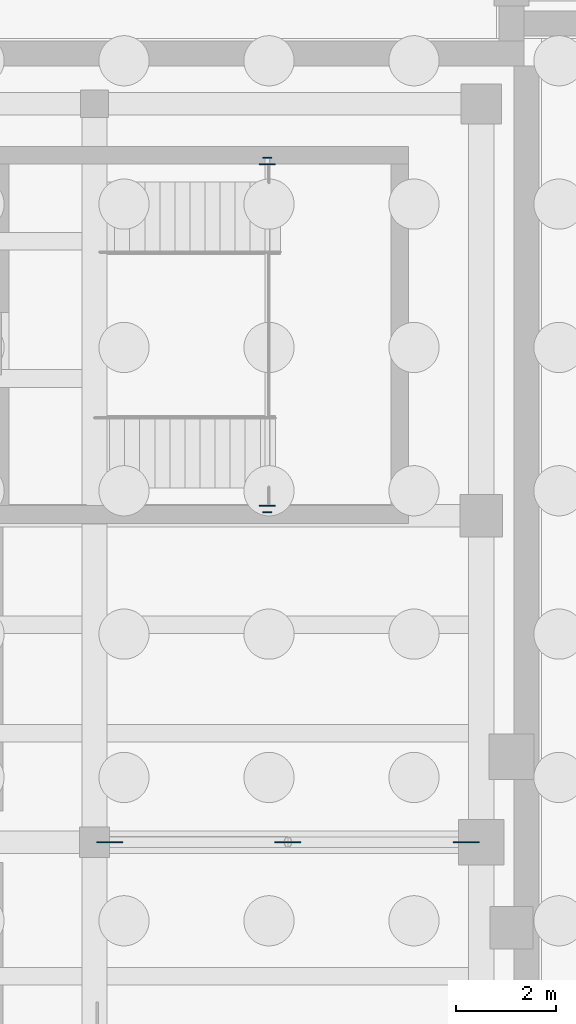
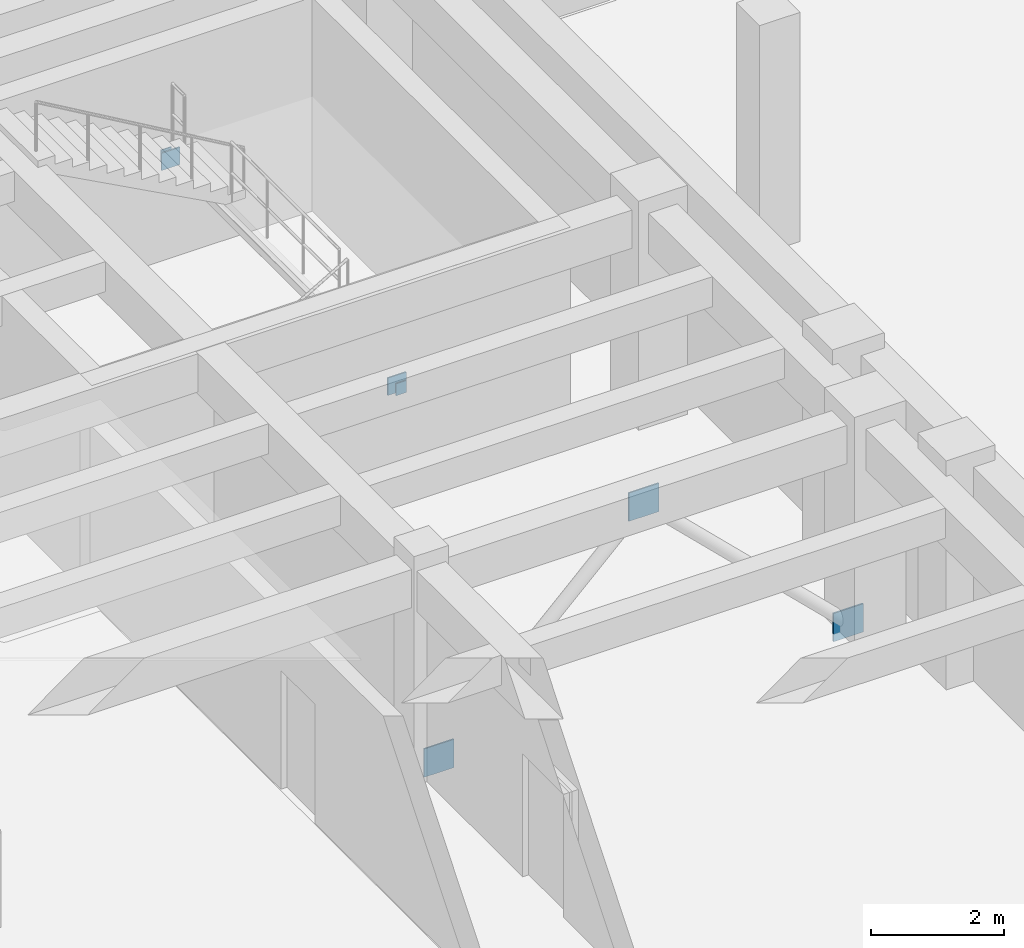
# One storey, part 18 of 36: 7 plates.
"""IFC4 building model written with IfcOpenShell, lengths in metres."""

from ifc_helpers import new_model, si_unit, direction, frame, origin, origin_2d, place, context, subcontext, project, spatial, rectangle, extrude, material, layer, layer_set, type_object, element, save


model = new_model("IFC4")

# Units and contexts
model_context = context("Model", 3, precision=1e-05, world=origin(), true_north=direction((0.0, 1.0)))
body_context = subcontext(model_context, "Body", "Model", "MODEL_VIEW")
ifc_project = project(units=[si_unit("LENGTHUNIT", "METRE"), si_unit("AREAUNIT", "SQUARE_METRE"), si_unit("VOLUMEUNIT", "CUBIC_METRE"), si_unit("PLANEANGLEUNIT", "RADIAN"), si_unit("MASSUNIT", "GRAM", prefix="KILO"), si_unit("THERMODYNAMICTEMPERATUREUNIT", "KELVIN"), si_unit("POWERUNIT", "WATT")], contexts=[model_context])

# Site, building, storey
site_placement = place(None, origin())
site = spatial("IfcSite", under=ifc_project, at=site_placement, CompositionType="ELEMENT")
building_placement = place(site_placement, origin())
building = spatial("IfcBuilding", under=site, at=building_placement, Name="Solvatero Civic Police Headquarters", CompositionType="ELEMENT")
storey_placement = place(building_placement, frame((0.0, 0.0, -8.39990234375)))
storey = spatial("IfcBuildingStorey", under=building, at=storey_placement, Name="B02", CompositionType="ELEMENT", Elevation=-8.39990234375)

# Plates
ifc_material = material(Name="Steel S355", Category="steel")
ifc_layer_1 = layer(ifc_material, 0.02001953125)
ifc_layer_set_1 = layer_set([ifc_layer_1], Name="Steel S355")
plate_type_1 = type_object("IfcPlateType", Name="PLT-CAP-20", PredefinedType="SHEET", material=ifc_layer_set_1)
for number, where, z_axis, x_axis, name in (
    (1, (23.93994140625, 75.070068359375, 1.71484375), (0.0, 0.0, 1.0), (1.0, 0.0, 0.0), "Hollow Section Cap Plate 0051"),
    (2, (23.93994140625, 82.1298828125, 1.71484375), (0.0, 0.0, 1.0), (1.0, 0.0, 0.0), "Hollow Section Cap Plate 0052"),
):
    element("IfcPlate", number, at=place(storey_placement, frame(where, z_axis=z_axis, x_axis=x_axis)), inside=storey, type_object=plate_type_1, Name=name, PredefinedType="SHEET", context=body_context, shape_type="SweptSolid", body=[
        extrude(rectangle(XDim=0.179931640625, YDim=0.02001953125, at=origin_2d()), origin(), (0.0, 0.0, 1.0), 0.219970703125),
    ])
ifc_layer_2 = layer(ifc_material, 0.02490234375)
ifc_layer_set_2 = layer_set([ifc_layer_2], Name="Steel S355")
plate_type_2 = type_object("IfcPlateType", Name="PLT-EMB-25", PredefinedType="SHEET", material=ifc_layer_set_2)
for number, where, z_axis, x_axis, name in (
    (3, (23.93994140625, 75.199951171875, 1.6650390625), (0.0, 0.0, 1.0), (1.0, 0.0, 0.0), "Cast-In Shear Wall Embed Plate 0051"),
    (4, (23.93994140625, 82.0, 1.6650390625), (0.0, 0.0, 1.0), (1.0, 0.0, 0.0), "Cast-In Shear Wall Embed Plate 0052"),
):
    element("IfcPlate", number, at=place(storey_placement, frame(where, z_axis=z_axis, x_axis=x_axis)), inside=storey, type_object=plate_type_2, Name=name, PredefinedType="SHEET", context=body_context, shape_type="SweptSolid", body=[
        extrude(rectangle(XDim=0.320068359375, YDim=0.02490234375, at=origin_2d()), origin(), (0.0, 0.0, 1.0), 0.320068359375),
    ])
ifc_layer_3 = layer(ifc_material, 0.02490234375)
ifc_layer_set_3 = layer_set([ifc_layer_3], Name="Steel S355")
plate_type_3 = type_object("IfcPlateType", Name="PLT-GUS-25", PredefinedType="SHEET", material=ifc_layer_set_3)
for number, where, z_axis, x_axis, name in (
    (5, (24.35009765625, 68.5, 3.309814453125), (0.0, 0.0, 1.0), (1.0, 0.0, 0.0), "Gusset Plate BR-V6-INT2 APX B02"),
    (6, (20.800048828125, 68.5, -0.14013671875), (0.0, 0.0, 1.0), (1.0, 0.0, 0.0), "Gusset Plate BR-V6-INT2 BSL B02"),
    (7, (27.89990234375, 68.5, -0.14013671875), (0.0, 0.0, 1.0), (1.0, 0.0, 0.0), "Gusset Plate BR-V6-INT2 BSR B02"),
):
    element("IfcPlate", number, at=place(storey_placement, frame(where, z_axis=z_axis, x_axis=x_axis)), inside=storey, type_object=plate_type_3, Name=name, PredefinedType="SHEET", context=body_context, shape_type="SweptSolid", body=[
        extrude(rectangle(XDim=0.52001953125, YDim=0.02490234375, at=origin_2d()), origin(), (0.0, 0.0, 1.0), 0.52001953125),
    ])

save(model, "model.ifc")
